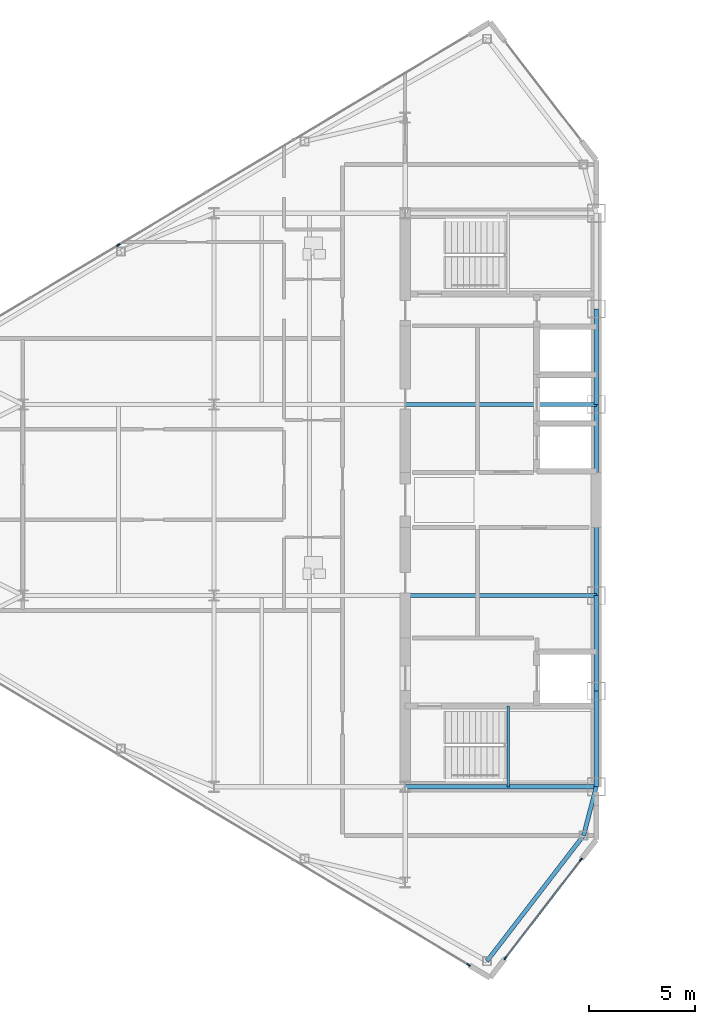
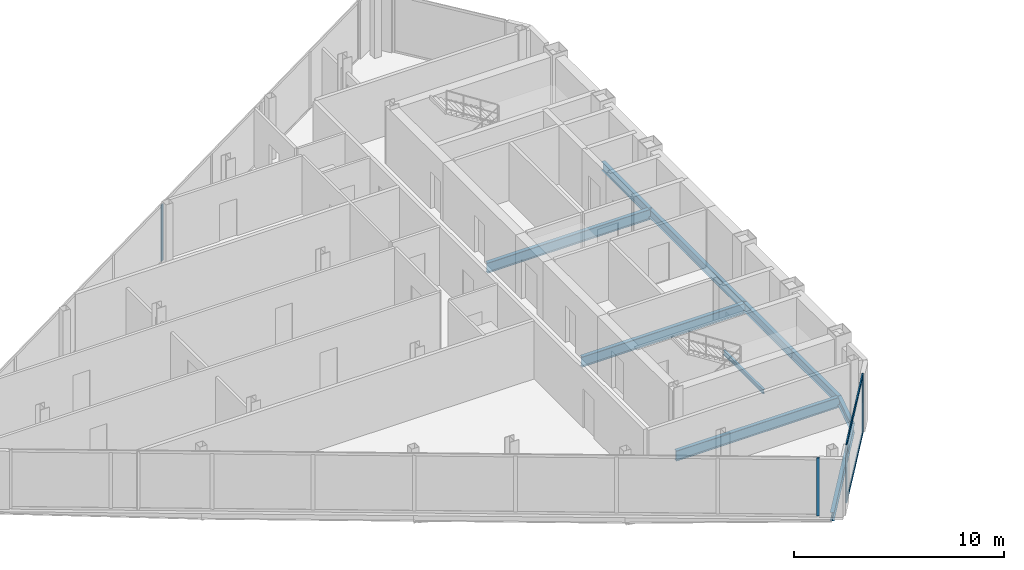
# One storey, part 8 of 25: 10 beams, 6 members, 3 elements without a shape of their own.
"""IFC4 building model written with IfcOpenShell, lengths in metres."""

from ifc_helpers import new_model, si_unit, direction, frame, origin, origin_2d, place, context, subcontext, project, spatial, rectangle, i_section, extrude, source, transform, mapped, material, layer, layer_set, material_profile, profile_set, type_object, type_shapes, element, aggregate, save


model = new_model("IFC4")

# Units and contexts
model_context = context("Model", 3, precision=1e-05, world=origin(), true_north=direction((0.0, 1.0)))
body_context = subcontext(model_context, "Body", "Model", "MODEL_VIEW")
ifc_project = project(units=[si_unit("LENGTHUNIT", "METRE"), si_unit("AREAUNIT", "SQUARE_METRE"), si_unit("VOLUMEUNIT", "CUBIC_METRE"), si_unit("PLANEANGLEUNIT", "RADIAN"), si_unit("MASSUNIT", "GRAM", prefix="KILO")], contexts=[model_context])

# Site, building, storey
site_placement = place(None, origin())
site = spatial("IfcSite", under=ifc_project, at=site_placement, CompositionType="ELEMENT")
building_placement = place(site_placement, origin())
building = spatial("IfcBuilding", under=site, at=building_placement, Name="Seokmaru Belvedere", CompositionType="ELEMENT")
storey_placement = place(building_placement, frame((0.0, 0.0, 217.5)))
storey = spatial("IfcBuildingStorey", under=building, at=storey_placement, Name="L58", CompositionType="ELEMENT", Elevation=217.5)

# Beams
ifc_material_1 = material(Name="Steel SM355 (355 MPa)", Category="steel")
ifc_material_profile_1 = material_profile(ifc_material_1, i_section(OverallWidth=0.199951171875, OverallDepth=0.5, WebThickness=0.010009765625, FlangeThickness=0.01611328125, at=origin_2d()), Name="H-500x200x10x16")
ifc_profile_set_1 = profile_set([ifc_material_profile_1], Name="Steel SM355 (355 MPa)")
beam_type_1 = type_object("IfcBeamType", Name="Perimeter Spandrel Beam H-500", PredefinedType="SPANDREL", material=ifc_profile_set_1)
shared_shape_1 = source(origin(), body_context, "Body", "SweptSolid", [
    extrude(i_section(OverallWidth=0.199951171875, OverallDepth=0.5, WebThickness=0.010009765625, FlangeThickness=0.01611328125, at=origin_2d()), origin(), (0.0, 0.0, 1.0), 4.5),
])
for number, where, z_axis, x_axis, name in (
    (1, (-27.5, -13.5, -0.469970703125), (0.0, 1.0, 0.0), (-1.0, 0.0, 0.0), "L58 W Portal Spine Spandrel 1"),
    (2, (-27.5, -9.0, -0.469970703125), (0.0, 1.0, 0.0), (-1.0, 0.0, 0.0), "L58 W Portal Spine Spandrel 2"),
    (3, (-27.5, 4.5, -0.469970703125), (0.0, 1.0, 0.0), (-1.0, 0.0, 0.0), "L58 W Portal Spine Spandrel 4"),
):
    element("IfcBeam", number, at=place(storey_placement, frame(where, z_axis=z_axis, x_axis=x_axis)), inside=storey, type_object=beam_type_1, Name=name, PredefinedType="SPANDREL", context=body_context, shape_type="MappedRepresentation", body=[
        mapped(shared_shape_1, transform((0.0, 0.0, 0.0), scale=1.0)),
    ])
shared_shape_2 = source(origin(), body_context, "Body", "SweptSolid", [
    extrude(i_section(OverallWidth=0.199951171875, OverallDepth=0.5, WebThickness=0.010009765625, FlangeThickness=0.01611328125, at=origin_2d()), origin(), (0.0, 0.0, 1.0), 9.0),
])
beam_1_placement = place(storey_placement, frame((-27.5, -4.5, -0.469970703125), z_axis=(0.0, 1.0, 0.0), x_axis=(-1.0, 0.0, 0.0)))
element("IfcBeam", 4, at=beam_1_placement, inside=storey, type_object=beam_type_1, Name="L58 W Portal Spine Spandrel 3", PredefinedType="SPANDREL", context=body_context, shape_type="MappedRepresentation", body=[
    mapped(shared_shape_2, transform((0.0, 0.0, 0.0), scale=1.0)),
])
ifc_material_profile_2 = material_profile(ifc_material_1, i_section(OverallWidth=0.199951171875, OverallDepth=0.60009765625, WebThickness=0.010986328125, FlangeThickness=0.01708984375, at=origin_2d()), Name="H-600x200x11x17")
ifc_profile_set_2 = profile_set([ifc_material_profile_2], Name="Steel SM355 (355 MPa)")
beam_type_2 = type_object("IfcBeamType", Name="Primary Floor Girder H-600", PredefinedType="BEAM", material=ifc_profile_set_2)
shared_shape_3 = source(origin(), body_context, "Body", "SweptSolid", [
    extrude(i_section(OverallWidth=0.199951171875, OverallDepth=0.60009765625, WebThickness=0.010986328125, FlangeThickness=0.01708984375, at=origin_2d()), origin(), (0.0, 0.0, 1.0), 9.0),
])
type_shapes(beam_type_2, [shared_shape_3])
for number, where, z_axis, x_axis, name in (
    (5, (-36.5, -13.5, -0.52001953125), (1.0, 0.0, 0.0), (0.0, 1.0, 0.0), "L58 W Core Tie Girder 1"),
    (6, (-36.5, -4.5, -0.52001953125), (1.0, 0.0, 0.0), (0.0, 1.0, 0.0), "L58 W Core Tie Girder 2"),
    (7, (-36.5, 4.5, -0.52001953125), (1.0, 0.0, 0.0), (0.0, 1.0, 0.0), "L58 W Core Tie Girder 3"),
):
    element("IfcBeam", number, at=place(storey_placement, frame(where, z_axis=z_axis, x_axis=x_axis)), inside=storey, type_object=beam_type_2, Name=name, PredefinedType="BEAM", context=body_context, shape_type="MappedRepresentation", body=[
        mapped(shared_shape_3, transform((0.0, 0.0, 0.0), scale=1.0)),
    ])
shared_shape_4 = source(origin(), body_context, "Body", "SweptSolid", [
    extrude(i_section(OverallWidth=0.199951171875, OverallDepth=0.5, WebThickness=0.010009765625, FlangeThickness=0.01611328125, at=origin_2d()), origin(), (0.0, 0.0, 1.0), 7.4619140625),
])
beam_2_placement = place(storey_placement, frame((-32.649658203125, -21.71044921875, -0.469970703125), z_axis=(0.609702854945, 0.792630070507, 0.0), x_axis=(-0.792630070507, 0.609702854945, 0.0)))
element("IfcBeam", 8, at=beam_2_placement, inside=storey, type_object=beam_type_1, Name="L58 W Shoulder Chamfer Spandrel S", PredefinedType="SPANDREL", context=body_context, shape_type="MappedRepresentation", body=[
    mapped(shared_shape_4, transform((0.0, 0.0, 0.0), scale=1.0)),
])
shared_shape_5 = source(origin(), body_context, "Body", "SweptSolid", [
    extrude(i_section(OverallWidth=0.199951171875, OverallDepth=0.5, WebThickness=0.010009765625, FlangeThickness=0.01611328125, at=origin_2d()), origin(), (0.0, 0.0, 1.0), 2.373046875),
])
type_shapes(beam_type_1, [shared_shape_1, shared_shape_2, shared_shape_4, shared_shape_5])
beam_3_placement = place(storey_placement, frame((-28.10009765625, -15.7958984375, -0.469970703125), z_axis=(0.252882558842, 0.967496982648, 0.0), x_axis=(-0.967496982648, 0.252882558842, 0.0)))
element("IfcBeam", 9, at=beam_3_placement, inside=storey, type_object=beam_type_1, Name="L58 W Shoulder Spine Spandrel S", PredefinedType="SPANDREL", context=body_context, shape_type="MappedRepresentation", body=[
    mapped(shared_shape_5, transform((0.0, 0.0, 0.0), scale=1.0)),
])

# Curtain wall, member
ifc_material_2 = material(Name="Bronze Triple Insulating Glass", Category="glass")
ifc_layer = layer(ifc_material_2, 0.179931640625)
ifc_layer_set = layer_set([ifc_layer], Name="Bronze Triple Insulating Glass")
curtain_wall_type = type_object("IfcCurtainWallType", Name="High-Rise Wind-Corner Curtain Wall System CW-5", PredefinedType="NOTDEFINED", material=ifc_layer_set)
curtain_wall_1_placement = place(storey_placement, origin())
curtain_wall_1 = element("IfcCurtainWall", 10, at=curtain_wall_1_placement, inside=storey, type_object=curtain_wall_type, Name="L58 Curtain Wall WF5", PredefinedType="NOTDEFINED")
ifc_material_3 = material(Name="Anodised Bronze Aluminium", Category="aluminium")
ifc_material_profile_3 = material_profile(ifc_material_3, rectangle(XDim=0.06494140625, YDim=0.179931640625, at=origin_2d()), Name="CW-M-65x180")
ifc_profile_set_3 = profile_set([ifc_material_profile_3], Name="Anodised Bronze Aluminium")
member_type_1 = type_object("IfcMemberType", Name="Bronze Unitised Mullion 65x180", PredefinedType="MULLION", material=ifc_profile_set_3)
shared_shape_6 = source(origin(), body_context, "Body", "SweptSolid", [
    extrude(rectangle(XDim=0.06494140625, YDim=0.179931640625, at=origin_2d()), origin(), (0.0, 0.0, 1.0), 3.3798828125),
])
member_1_placement = place(storey_placement, frame((-33.513916015625, -21.8916015625, 0.0), z_axis=(0.0, 0.0, 1.0), x_axis=(0.514494909364, 0.85749343335, 0.0)))
member_1 = element("IfcMember", 11, at=member_1_placement, type_object=member_type_1, Name="CW:L58:WF5 Mullion 9", PredefinedType="MULLION", context=body_context, shape_type="MappedRepresentation", body=[
    mapped(shared_shape_6, transform((0.0, 0.0, 0.0), scale=1.0)),
])
aggregate(curtain_wall_1, [member_1])

# Curtain wall, members
curtain_wall_2_placement = place(storey_placement, origin())
curtain_wall_2 = element("IfcCurtainWall", 12, at=curtain_wall_2_placement, inside=storey, type_object=curtain_wall_type, Name="L58 Curtain Wall WF6", PredefinedType="NOTDEFINED")
member_2_placement = place(storey_placement, frame((-31.779052734375, -21.562744140625, 0.0), z_axis=(0.0, 0.0, 1.0), x_axis=(-0.792631353244, 0.609701187349, 0.0)))
member_2 = element("IfcMember", 13, at=member_2_placement, type_object=member_type_1, Name="CW:L58:WF6 Mullion 1", PredefinedType="MULLION", context=body_context, shape_type="MappedRepresentation", body=[
    mapped(shared_shape_6, transform((0.0, 0.0, 0.0), scale=1.0)),
])
member_3_placement = place(storey_placement, frame((-28.220947265625, -16.937255859375, 0.0), z_axis=(0.0, 0.0, 1.0), x_axis=(-0.792631353244, 0.609701187349, 0.0)))
member_3 = element("IfcMember", 14, at=member_3_placement, type_object=member_type_1, Name="CW:L58:WF6 Mullion 2", PredefinedType="MULLION", context=body_context, shape_type="MappedRepresentation", body=[
    mapped(shared_shape_6, transform((0.0, 0.0, 0.0), scale=1.0)),
])

# Curtain wall, member
curtain_wall_3_placement = place(storey_placement, origin())
curtain_wall_3 = element("IfcCurtainWall", 15, at=curtain_wall_3_placement, inside=storey, type_object=curtain_wall_type, Name="L58 Curtain Wall WF3", PredefinedType="NOTDEFINED")
shared_shape_7 = source(origin(), body_context, "Body", "SweptSolid", [
    extrude(rectangle(XDim=0.06494140625, YDim=0.179931640625, at=origin_2d()), origin(), (0.0, 0.0, 1.0), 3.25),
])
type_shapes(member_type_1, [shared_shape_6, shared_shape_7])
member_4_placement = place(storey_placement, frame((-50.0, 12.0, 0.06494140625), z_axis=(0.0, 0.0, 1.0), x_axis=(0.514494909364, -0.85749343335, 0.0)))
member_4 = element("IfcMember", 16, at=member_4_placement, type_object=member_type_1, Name="CW:L58:WF3 Mullion 5", PredefinedType="MULLION", context=body_context, shape_type="MappedRepresentation", body=[
    mapped(shared_shape_7, transform((0.0, 0.0, 0.0), scale=1.0)),
])
aggregate(curtain_wall_3, [member_4])

# Member
ifc_material_profile_4 = material_profile(ifc_material_3, rectangle(XDim=0.06494140625, YDim=0.14990234375, at=origin_2d()), Name="CW-T-65x150")
ifc_profile_set_4 = profile_set([ifc_material_profile_4], Name="Anodised Bronze Aluminium")
member_type_2 = type_object("IfcMemberType", Name="Bronze Unitised Transom 65x150", PredefinedType="USERDEFINED", material=ifc_profile_set_4)
shared_shape_8 = source(origin(), body_context, "Body", "SweptSolid", [
    extrude(rectangle(XDim=0.06494140625, YDim=0.14990234375, at=origin_2d()), origin(), (0.0, 0.0, 1.0), 5.77099609375),
])
type_shapes(member_type_2, [shared_shape_8])
member_5_placement = place(storey_placement, frame((-31.75927734375, -21.537109375, 0.032470703125), z_axis=(0.60970258286, 0.792630279799, 0.0), x_axis=(-0.792630279799, 0.60970258286, 0.0)))
member_5 = element("IfcMember", 17, at=member_5_placement, type_object=member_type_2, Name="CW:L58:WF6 Continuous Transom 1", ObjectType="TRANSOM", PredefinedType="USERDEFINED", context=body_context, shape_type="MappedRepresentation", body=[
    mapped(shared_shape_8, transform((0.0, 0.0, 0.0), scale=1.0)),
])

member_6_placement = place(storey_placement, frame((-31.75927734375, -21.537109375, 3.347412109375), z_axis=(0.60970258286, 0.792630279799, 0.0), x_axis=(-0.792630279799, 0.60970258286, 0.0)))
member_6 = element("IfcMember", 18, at=member_6_placement, type_object=member_type_2, Name="CW:L58:WF6 Continuous Transom 2", ObjectType="TRANSOM", PredefinedType="USERDEFINED", context=body_context, shape_type="MappedRepresentation", body=[
    mapped(shared_shape_8, transform((0.0, 0.0, 0.0), scale=1.0)),
])

aggregate(curtain_wall_2, [member_2, member_3, member_5, member_6])

# Beam
ifc_material_profile_5 = material_profile(ifc_material_1, i_section(OverallWidth=0.125, OverallDepth=0.25, WebThickness=0.006103515625, FlangeThickness=0.009033203125, at=origin_2d()), Name="H-250x125x6x9")
ifc_profile_set_5 = profile_set([ifc_material_profile_5], Name="Steel SM355 (355 MPa)")
beam_type_3 = type_object("IfcBeamType", Name="Stair Mid-Landing Support Beam H-250", PredefinedType="JOIST", material=ifc_profile_set_5)
shared_shape_9 = source(origin(), body_context, "Body", "SweptSolid", [
    extrude(i_section(OverallWidth=0.125, OverallDepth=0.25, WebThickness=0.006103515625, FlangeThickness=0.009033203125, at=origin_2d()), origin(), (0.0, 0.0, 1.0), 3.800048828125),
])
type_shapes(beam_type_3, [shared_shape_9])
beam_4_placement = place(storey_placement, frame((-31.64990234375, -13.5, 1.47509765625), z_axis=(0.0, 1.0, 0.0), x_axis=(-1.0, 0.0, 0.0)))
element("IfcBeam", 19, at=beam_4_placement, inside=storey, type_object=beam_type_3, Name="L58 Stair ST-W1 Mid-Landing Support Beam 1", PredefinedType="JOIST", context=body_context, shape_type="MappedRepresentation", body=[
    mapped(shared_shape_9, transform((0.0, 0.0, 0.0), scale=1.0)),
])

save(model, "model.ifc")
